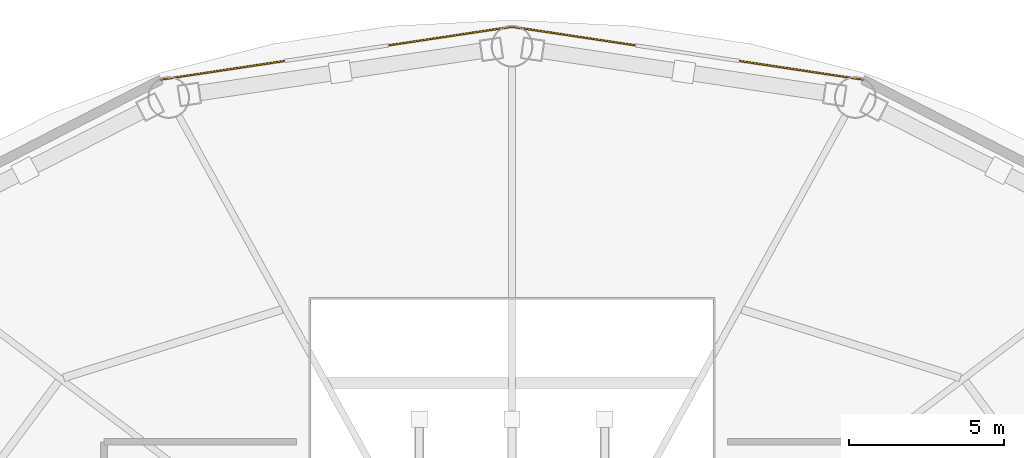
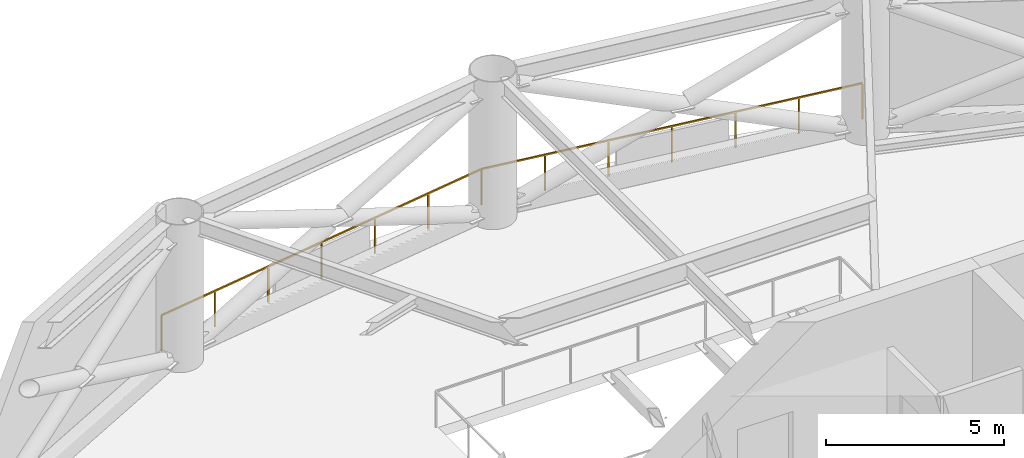
# One storey, part 7 of 7: 2 railings.
"""IFC4 building model written with IfcOpenShell, lengths in metres."""

from ifc_helpers import new_model, si_unit, direction, frame, origin, origin_2d, place, context, subcontext, project, spatial, rectangle, extrude, material, type_object, element, save


model = new_model("IFC4")

# Units and contexts
model_context = context("Model", 3, precision=1e-05, world=origin(), true_north=direction((0.0, 1.0)))
body_context = subcontext(model_context, "Body", "Model", "MODEL_VIEW")
ifc_project = project(units=[si_unit("LENGTHUNIT", "METRE"), si_unit("AREAUNIT", "SQUARE_METRE"), si_unit("VOLUMEUNIT", "CUBIC_METRE"), si_unit("PLANEANGLEUNIT", "RADIAN"), si_unit("MASSUNIT", "GRAM", prefix="KILO")], contexts=[model_context])

# Site, building, storey
site_placement = place(None, origin())
site = spatial("IfcSite", under=ifc_project, at=site_placement, CompositionType="ELEMENT")
building_placement = place(site_placement, origin())
building = spatial("IfcBuilding", under=site, at=building_placement, Name="Sarneth Arch Tower", CompositionType="ELEMENT")
storey_placement = place(building_placement, frame((0.0, 0.0, 139.800048828125)))
storey = spatial("IfcBuildingStorey", under=building, at=storey_placement, Name="L35", CompositionType="ELEMENT", Elevation=139.800048828125)

# Railings
ifc_material = material(Name="Stainless Steel 316 balustrade with vertical posts at 1,800 mm centres", Category="steel")
railing_type = type_object("IfcRailingType", Name="RAIL-TERR-1250", PredefinedType="GUARDRAIL", material=ifc_material)
railing_1_placement = place(storey_placement, frame((59.351318359375, 62.72265625, 0.0)))
element("IfcRailing", 1, at=railing_1_placement, inside=storey, type_object=railing_type, Name="L35 Wind-turbine slot guard 04", PredefinedType="GUARDRAIL", context=body_context, shape_type="SweptSolid", body=[
    extrude(rectangle(XDim=0.048095703125, YDim=0.048095703125, at=origin_2d()), frame((0.0, 0.0, 1.22607421875), z_axis=(-0.988877774656, 0.148730450117, 0.0), x_axis=(-0.148730450117, -0.988877774656, 0.0)), (0.0, 0.0, 1.0), 11.47900390625),
    extrude(rectangle(XDim=0.0419921875, YDim=0.0419921875, at=origin_2d()), origin(), (0.0, 0.0, 1.0), 1.201904296875),
    extrude(rectangle(XDim=0.0419921875, YDim=0.0419921875, at=origin_2d()), frame((-1.891845703125, 0.28466796875, 0.0)), (0.0, 0.0, 1.0), 1.201904296875),
    extrude(rectangle(XDim=0.0419921875, YDim=0.0419921875, at=origin_2d()), frame((-3.78369140625, 0.569091796875, 0.0)), (0.0, 0.0, 1.0), 1.201904296875),
    extrude(rectangle(XDim=0.0419921875, YDim=0.0419921875, at=origin_2d()), frame((-5.67578125, 0.853515625, 0.0)), (0.0, 0.0, 1.0), 1.201904296875),
    extrude(rectangle(XDim=0.0419921875, YDim=0.0419921875, at=origin_2d()), frame((-7.567626953125, 1.13818359375, 0.0)), (0.0, 0.0, 1.0), 1.201904296875),
    extrude(rectangle(XDim=0.0419921875, YDim=0.0419921875, at=origin_2d()), frame((-9.45947265625, 1.4228515625, 0.0)), (0.0, 0.0, 1.0), 1.201904296875),
    extrude(rectangle(XDim=0.0419921875, YDim=0.0419921875, at=origin_2d()), frame((-11.351318359375, 1.707275390625, 0.0)), (0.0, 0.0, 1.0), 1.201904296875),
])
railing_2_placement = place(storey_placement, frame((48.0, 64.429931640625, 0.0)))
element("IfcRailing", 2, at=railing_2_placement, inside=storey, type_object=railing_type, Name="L35 Wind-turbine slot guard 05", PredefinedType="GUARDRAIL", context=body_context, shape_type="SweptSolid", body=[
    extrude(rectangle(XDim=0.048095703125, YDim=0.048095703125, at=origin_2d()), frame((0.0, 0.0, 1.22607421875), z_axis=(-0.988877774656, -0.148730450117, 0.0), x_axis=(0.148730450117, -0.988877774656, 0.0)), (0.0, 0.0, 1.0), 11.47900390625),
    extrude(rectangle(XDim=0.0419921875, YDim=0.0419921875, at=origin_2d()), origin(), (0.0, 0.0, 1.0), 1.201904296875),
    extrude(rectangle(XDim=0.0419921875, YDim=0.0419921875, at=origin_2d()), frame((-1.891845703125, -0.28466796875, 0.0)), (0.0, 0.0, 1.0), 1.201904296875),
    extrude(rectangle(XDim=0.0419921875, YDim=0.0419921875, at=origin_2d()), frame((-3.78369140625, -0.569091796875, 0.0)), (0.0, 0.0, 1.0), 1.201904296875),
    extrude(rectangle(XDim=0.0419921875, YDim=0.0419921875, at=origin_2d()), frame((-5.67578125, -0.853515625, 0.0)), (0.0, 0.0, 1.0), 1.201904296875),
    extrude(rectangle(XDim=0.0419921875, YDim=0.0419921875, at=origin_2d()), frame((-7.567626953125, -1.13818359375, 0.0)), (0.0, 0.0, 1.0), 1.201904296875),
    extrude(rectangle(XDim=0.0419921875, YDim=0.0419921875, at=origin_2d()), frame((-9.45947265625, -1.4228515625, 0.0)), (0.0, 0.0, 1.0), 1.201904296875),
    extrude(rectangle(XDim=0.0419921875, YDim=0.0419921875, at=origin_2d()), frame((-11.351318359375, -1.707275390625, 0.0)), (0.0, 0.0, 1.0), 1.201904296875),
])

save(model, "model.ifc")
